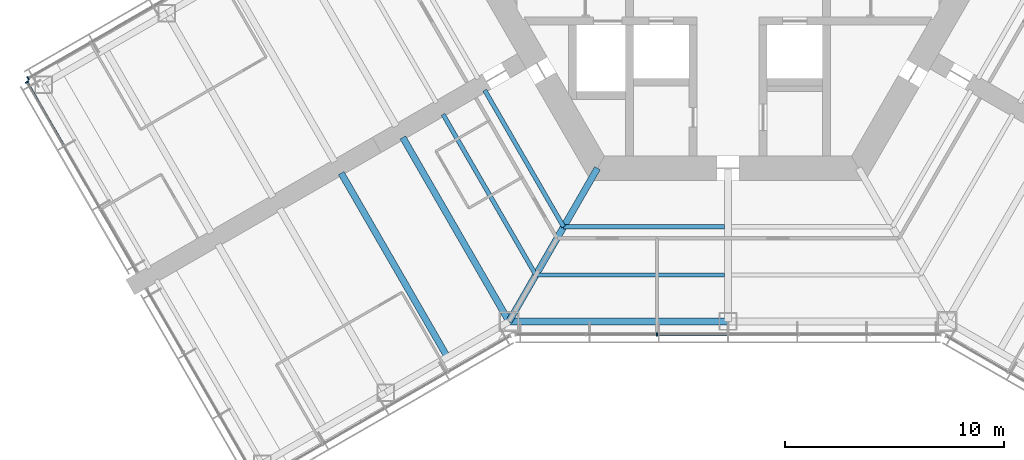
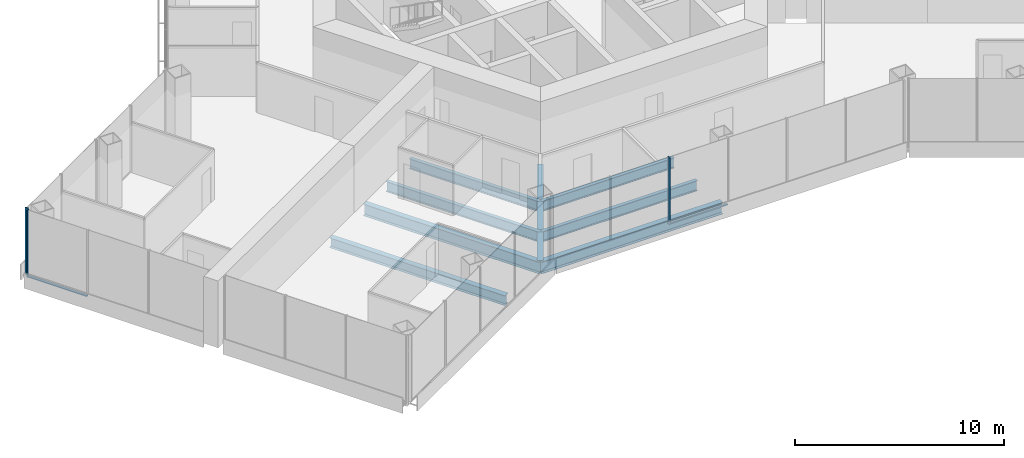
# One storey, part 3 of 18: 8 beams, 5 members, 3 elements without a shape of their own.
"""IFC4 building model written with IfcOpenShell, lengths in metres."""

from ifc_helpers import new_model, si_unit, direction, frame, origin, origin_2d, place, context, subcontext, project, spatial, rectangle, i_section, extrude, material, material_profile, profile_set, type_object, element, aggregate, save


model = new_model("IFC4")

# Units and contexts
model_context = context("Model", 3, precision=1e-05, world=origin(), true_north=direction((0.0, 1.0)))
body_context = subcontext(model_context, "Body", "Model", "MODEL_VIEW")
ifc_project = project(units=[si_unit("LENGTHUNIT", "METRE"), si_unit("AREAUNIT", "SQUARE_METRE"), si_unit("VOLUMEUNIT", "CUBIC_METRE"), si_unit("PLANEANGLEUNIT", "RADIAN"), si_unit("MASSUNIT", "GRAM", prefix="KILO")], contexts=[model_context])

# Site, building, storey
site_placement = place(None, origin())
site = spatial("IfcSite", under=ifc_project, at=site_placement, CompositionType="ELEMENT")
building_placement = place(site_placement, origin())
building = spatial("IfcBuilding", under=site, at=building_placement, Name="Kasaneha Research Tower", CompositionType="ELEMENT")
storey_placement = place(building_placement, frame((0.0, 0.0, 76.800048828125)))
storey = spatial("IfcBuildingStorey", under=building, at=storey_placement, Name="L19", CompositionType="ELEMENT", Elevation=76.800048828125)

# Beams
ifc_material_1 = material(Name="Steel SN490B", Category="steel")
ifc_material_profile_1 = material_profile(ifc_material_1, i_section(OverallWidth=0.199951171875, OverallDepth=0.60009765625, WebThickness=0.010986328125, FlangeThickness=0.01708984375, FilletRadius=0.012939453125, at=origin_2d()), Name="H-600x200x11x17")
ifc_profile_set_1 = profile_set([ifc_material_profile_1], Name="Steel SN490B")
beam_type_1 = type_object("IfcBeamType", Name="B1-3 secondary beam H-600x200x11x17", PredefinedType="JOIST", material=ifc_profile_set_1)
beam_1_placement = place(storey_placement, frame((-7.505615234375, -13.0, -0.449951171875), z_axis=(-0.499998147991, 0.86602647304, 0.0), x_axis=(-0.86602647304, -0.499998147991, 0.0)))
element("IfcBeam", 1, at=beam_1_placement, inside=storey, type_object=beam_type_1, Name="Secondary beam RS210R1 L19", PredefinedType="JOIST", context=body_context, shape_type="SweptSolid", body=[
    extrude(i_section(OverallWidth=0.199951171875, OverallDepth=0.60009765625, WebThickness=0.010986328125, FlangeThickness=0.01708984375, FilletRadius=0.012939453125, at=origin_2d()), origin(), (0.0, 0.0, 1.0), 7.20556640625),
])
beam_2_placement = place(storey_placement, frame((-8.775634765625, -15.199951171875, -0.449951171875), z_axis=(-0.500020829043, 0.866013377797, 0.0), x_axis=(-0.866013377797, -0.500020829043, 0.0)))
element("IfcBeam", 2, at=beam_2_placement, inside=storey, type_object=beam_type_1, Name="Secondary beam RS210R2 L19", PredefinedType="JOIST", context=body_context, shape_type="SweptSolid", body=[
    extrude(i_section(OverallWidth=0.199951171875, OverallDepth=0.60009765625, WebThickness=0.010986328125, FlangeThickness=0.01708984375, FilletRadius=0.012939453125, at=origin_2d()), origin(), (0.0, 0.0, 1.0), 8.475830078125),
])
beam_3_placement = place(storey_placement, frame((-7.505615234375, -13.0, -0.449951171875), z_axis=(1.0, 0.0, 0.0), x_axis=(0.0, 1.0, 0.0)))
element("IfcBeam", 3, at=beam_3_placement, inside=storey, type_object=beam_type_1, Name="Secondary beam RS270L1 L19", PredefinedType="JOIST", context=body_context, shape_type="SweptSolid", body=[
    extrude(i_section(OverallWidth=0.199951171875, OverallDepth=0.60009765625, WebThickness=0.010986328125, FlangeThickness=0.01708984375, FilletRadius=0.012939453125, at=origin_2d()), origin(), (0.0, 0.0, 1.0), 7.355712890625),
])
beam_4_placement = place(storey_placement, frame((-8.775634765625, -15.199951171875, -0.449951171875), z_axis=(1.0, 0.0, 0.0), x_axis=(0.0, 1.0, 0.0)))
element("IfcBeam", 4, at=beam_4_placement, inside=storey, type_object=beam_type_1, Name="Secondary beam RS270L2 L19", PredefinedType="JOIST", context=body_context, shape_type="SweptSolid", body=[
    extrude(i_section(OverallWidth=0.199951171875, OverallDepth=0.60009765625, WebThickness=0.010986328125, FlangeThickness=0.01708984375, FilletRadius=0.012939453125, at=origin_2d()), origin(), (0.0, 0.0, 1.0), 8.625732421875),
])
ifc_material_2 = material(Name="Steel SN490B", Category="steel")
ifc_material_profile_2 = material_profile(ifc_material_2, i_section(OverallWidth=0.300048828125, OverallDepth=0.58203125, WebThickness=0.011962890625, FlangeThickness=0.01708984375, FilletRadius=0.012939453125, at=origin_2d()), Name="H-582x300x12x17")
ifc_profile_set_2 = profile_set([ifc_material_profile_2], Name="Steel SN490B")
beam_type_2 = type_object("IfcBeamType", Name="B2-3 secondary beam H-582x300x12x17", PredefinedType="JOIST", material=ifc_profile_set_2)
beam_5_placement = place(storey_placement, frame((-12.814697265625, -18.945556640625, -0.441162109375), z_axis=(-0.499991164321, 0.866030505006, 0.0), x_axis=(-0.866030505006, -0.499991164321, 0.0)))
element("IfcBeam", 5, at=beam_5_placement, inside=storey, type_object=beam_type_2, Name="Secondary beam WBBN1 L19", PredefinedType="JOIST", context=body_context, shape_type="SweptSolid", body=[
    extrude(i_section(OverallWidth=0.300048828125, OverallDepth=0.58203125, WebThickness=0.011962890625, FlangeThickness=0.01708984375, FilletRadius=0.012939453125, at=origin_2d()), origin(), (0.0, 0.0, 1.0), 9.699951171875),
])

# Curtain wall, member
ifc_material_3 = material(Name="Glass and aluminium", Category="aluminium")
curtain_wall_type = type_object("IfcCurtainWallType", Name="Low-rise office curtain wall", PredefinedType="USERDEFINED", material=ifc_material_3)
curtain_wall_1_placement = place(storey_placement, origin())
curtain_wall_1 = element("IfcCurtainWall", 6, at=curtain_wall_1_placement, inside=storey, type_object=curtain_wall_type, Name="CW-O1 L19 run 02a", ObjectType="UNITISED CURTAIN WALL", PredefinedType="USERDEFINED")
ifc_material_4 = material(Name="Aluminium 6063-T6", Category="aluminium")
ifc_material_profile_3 = material_profile(ifc_material_4, rectangle(XDim=0.06005859375, YDim=0.159912109375, at=origin_2d()), Name="CW-O1 mullion 60x160")
ifc_profile_set_3 = profile_set([ifc_material_profile_3], Name="Aluminium 6063-T6")
member_type_1 = type_object("IfcMemberType", Name="CW-O1 mullion", PredefinedType="MULLION", material=ifc_profile_set_3)
member_1_placement = place(storey_placement, frame((-3.246337890625, -17.92041015625, 0.0), z_axis=(0.0, 0.0, 1.0), x_axis=(1.0, 0.0, 0.0)))
member_1 = element("IfcMember", 7, at=member_1_placement, type_object=member_type_1, Name="CW-O1 mullion 3", PredefinedType="MULLION", context=body_context, shape_type="SweptSolid", body=[
    extrude(rectangle(XDim=0.06005859375, YDim=0.159912109375, at=origin_2d()), origin(), (0.0, 0.0, 1.0), 3.89990234375),
])

curtain_wall_2_placement = place(storey_placement, origin())
curtain_wall_2 = element("IfcCurtainWall", 8, at=curtain_wall_2_placement, inside=storey, type_object=curtain_wall_type, Name="CW-O1 L19 run 13a", ObjectType="UNITISED CURTAIN WALL", PredefinedType="USERDEFINED")
member_2_placement = place(storey_placement, frame((-31.96533203125, -6.21533203125, 0.0), z_axis=(0.0, 0.0, 1.0), x_axis=(-0.866025411464, -0.499999986699, 0.0)))
member_2 = element("IfcMember", 9, at=member_2_placement, type_object=member_type_1, Name="CW-O1 mullion 5", PredefinedType="MULLION", context=body_context, shape_type="SweptSolid", body=[
    extrude(rectangle(XDim=0.06005859375, YDim=0.159912109375, at=origin_2d()), origin(), (0.0, 0.0, 1.0), 3.89990234375),
])
aggregate(curtain_wall_2, [member_2])

curtain_wall_3_placement = place(storey_placement, origin())
curtain_wall_3 = element("IfcCurtainWall", 10, at=curtain_wall_3_placement, inside=storey, type_object=curtain_wall_type, Name="CW-O1 L19 run 14a", ObjectType="UNITISED CURTAIN WALL", PredefinedType="USERDEFINED")
member_3_placement = place(storey_placement, frame((-32.012939453125, -6.39306640625, 0.0), z_axis=(0.0, 0.0, 1.0), x_axis=(0.500000011442, -0.866025397178, 0.0)))
member_3 = element("IfcMember", 11, at=member_3_placement, type_object=member_type_1, Name="CW-O1 mullion 1", PredefinedType="MULLION", context=body_context, shape_type="SweptSolid", body=[
    extrude(rectangle(XDim=0.06005859375, YDim=0.159912109375, at=origin_2d()), origin(), (0.0, 0.0, 1.0), 3.89990234375),
])

# Member
ifc_material_5 = material(Name="Aluminium 6063-T6", Category="aluminium")
ifc_material_profile_4 = material_profile(ifc_material_5, rectangle(XDim=0.1201171875, YDim=0.06005859375, at=origin_2d()), Name="CW-O1 transom 120x60")
ifc_profile_set_4 = profile_set([ifc_material_profile_4], Name="Aluminium 6063-T6")
member_type_2 = type_object("IfcMemberType", Name="CW-O1 transom", PredefinedType="USERDEFINED", material=ifc_profile_set_4)
member_4_placement = place(storey_placement, frame((-3.21630859375, -17.92041015625, 0.030029296875), z_axis=(1.0, 0.0, 0.0), x_axis=(0.0, 1.0, 0.0)))
member_4 = element("IfcMember", 12, at=member_4_placement, type_object=member_type_2, Name="CW-O1 transom 3", ObjectType="TRANSOM", PredefinedType="USERDEFINED", context=body_context, shape_type="SweptSolid", body=[
    extrude(rectangle(XDim=0.1201171875, YDim=0.06005859375, at=origin_2d()), origin(), (0.0, 0.0, 1.0), 3.186279296875),
])

aggregate(curtain_wall_1, [member_1, member_4])

member_5_placement = place(storey_placement, frame((-31.998046875, -6.4189453125, 0.030029296875), z_axis=(0.500025583411, -0.866010632691, 0.0), x_axis=(0.866010632691, 0.500025583411, 0.0)))
member_5 = element("IfcMember", 13, at=member_5_placement, type_object=member_type_2, Name="CW-O1 transom 1", ObjectType="TRANSOM", PredefinedType="USERDEFINED", context=body_context, shape_type="SweptSolid", body=[
    extrude(rectangle(XDim=0.1201171875, YDim=0.06005859375, at=origin_2d()), origin(), (0.0, 0.0, 1.0), 3.276611328125),
])

aggregate(curtain_wall_3, [member_3, member_5])

# Beams
ifc_material_6 = material(Name="Steel SN490B", Category="steel")
ifc_material_profile_5 = material_profile(ifc_material_6, i_section(OverallWidth=0.300048828125, OverallDepth=0.699951171875, WebThickness=0.012939453125, FlangeThickness=0.02392578125, FilletRadius=0.01806640625, at=origin_2d()), Name="H-700x300x13x24")
ifc_profile_set_5 = profile_set([ifc_material_profile_5], Name="Steel SN490B")
beam_type_3 = type_object("IfcBeamType", Name="G1-3 radial girder H-700x300x13x24", PredefinedType="BEAM", material=ifc_profile_set_5)
beam_6_placement = place(storey_placement, frame((-5.961181640625, -10.324951171875, -0.5), z_axis=(-0.49999105496, -0.866030568144, 0.0), x_axis=(0.866030568144, -0.49999105496, 0.0)))
element("IfcBeam", 14, at=beam_6_placement, inside=storey, type_object=beam_type_3, Name="Radial girder RV240 L19", PredefinedType="BEAM", context=body_context, shape_type="SweptSolid", body=[
    extrude(i_section(OverallWidth=0.300048828125, OverallDepth=0.699951171875, WebThickness=0.012939453125, FlangeThickness=0.02392578125, FilletRadius=0.01806640625, at=origin_2d()), origin(), (0.0, 0.0, 1.0), 8.077880859375),
])
ifc_material_7 = material(Name="Steel SN490B", Category="steel")
ifc_material_profile_6 = material_profile(ifc_material_7, i_section(OverallWidth=0.300048828125, OverallDepth=0.69189453125, WebThickness=0.012939453125, FlangeThickness=0.02001953125, FilletRadius=0.01806640625, at=origin_2d()), Name="H-692x300x13x20")
ifc_profile_set_6 = profile_set([ifc_material_profile_6], Name="Steel SN490B")
beam_type_4 = type_object("IfcBeamType", Name="G3-3 plate edge girder H-692x300x13x20", PredefinedType="BEAM", material=ifc_profile_set_6)
beam_7_placement = place(storey_placement, frame((-10.0, -17.320556640625, -0.49609375), z_axis=(-0.500010041276, 0.866019606374, 0.0), x_axis=(-0.866019606374, -0.500010041276, 0.0)))
element("IfcBeam", 15, at=beam_7_placement, inside=storey, type_object=beam_type_4, Name="Plate edge girder PEBN L19", PredefinedType="BEAM", context=body_context, shape_type="SweptSolid", body=[
    extrude(i_section(OverallWidth=0.300048828125, OverallDepth=0.69189453125, WebThickness=0.012939453125, FlangeThickness=0.02001953125, FilletRadius=0.01806640625, at=origin_2d()), origin(), (0.0, 0.0, 1.0), 9.699951171875),
])
ifc_material_8 = material(Name="Steel SN490B", Category="steel")
ifc_material_profile_7 = material_profile(ifc_material_8, i_section(OverallWidth=0.300048828125, OverallDepth=0.69189453125, WebThickness=0.012939453125, FlangeThickness=0.02001953125, FilletRadius=0.01806640625, at=origin_2d()), Name="H-692x300x13x20")
ifc_profile_set_7 = profile_set([ifc_material_profile_7], Name="Steel SN490B")
beam_type_5 = type_object("IfcBeamType", Name="SB1-3 spandrel beam H-692x300x13x20", PredefinedType="SPANDREL", material=ifc_profile_set_7)
beam_8_placement = place(storey_placement, frame((-10.0, -17.320556640625, -0.49609375), z_axis=(1.0, 0.0, 0.0), x_axis=(0.0, 1.0, 0.0)))
element("IfcBeam", 16, at=beam_8_placement, inside=storey, type_object=beam_type_5, Name="Spandrel beam SR270L L19", PredefinedType="SPANDREL", context=body_context, shape_type="SweptSolid", body=[
    extrude(i_section(OverallWidth=0.300048828125, OverallDepth=0.69189453125, WebThickness=0.012939453125, FlangeThickness=0.02001953125, FilletRadius=0.01806640625, at=origin_2d()), origin(), (0.0, 0.0, 1.0), 10.0),
])

save(model, "model.ifc")
